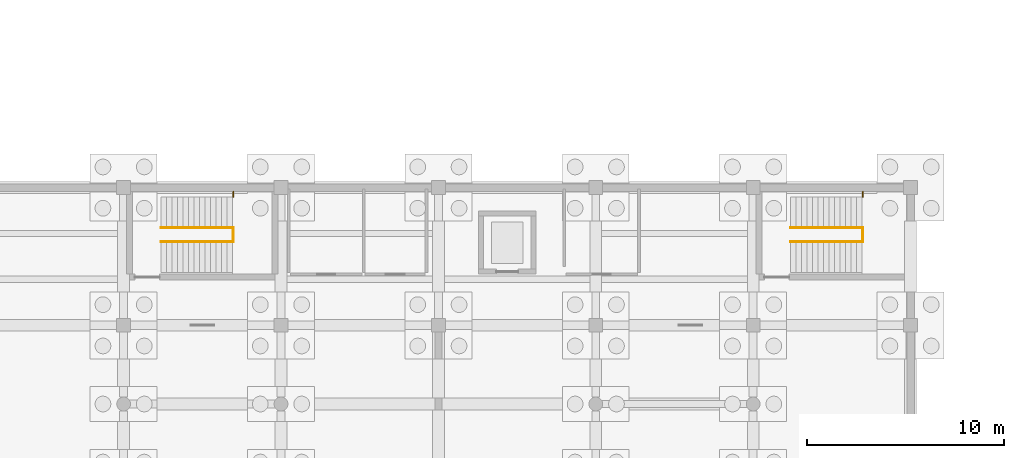
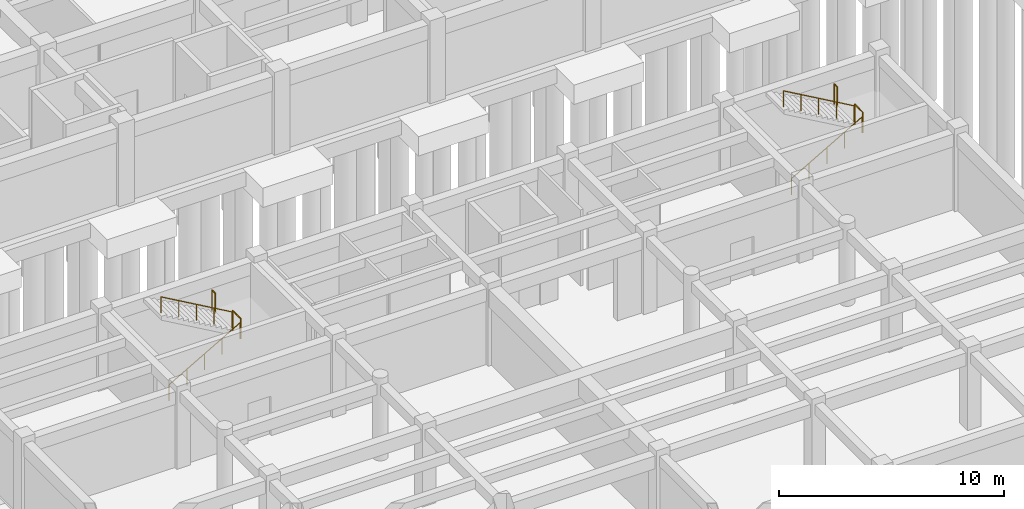
# One storey, part 25 of 28: 8 railings.
"""IFC4 building model written with IfcOpenShell, lengths in metres."""

from ifc_helpers import new_model, si_unit, direction, frame, origin, origin_2d, place, context, subcontext, project, spatial, circle, extrude, material, type_object, element, save


model = new_model("IFC4")

# Units and contexts
model_context = context("Model", 3, precision=1e-05, world=origin(), true_north=direction((0.0, 1.0)))
body_context = subcontext(model_context, "Body", "Model", "MODEL_VIEW")
ifc_project = project(units=[si_unit("LENGTHUNIT", "METRE"), si_unit("AREAUNIT", "SQUARE_METRE"), si_unit("VOLUMEUNIT", "CUBIC_METRE"), si_unit("PLANEANGLEUNIT", "RADIAN"), si_unit("MASSUNIT", "GRAM", prefix="KILO")], contexts=[model_context])

# Site, building, storey
site_placement = place(None, origin())
site = spatial("IfcSite", under=ifc_project, at=site_placement, CompositionType="ELEMENT")
building_placement = place(site_placement, origin())
building = spatial("IfcBuilding", under=site, at=building_placement, Name="Naurynzar Civic Courthouse", CompositionType="ELEMENT")
storey_placement = place(building_placement, frame((0.0, 0.0, -4.5)))
storey = spatial("IfcBuildingStorey", under=building, at=storey_placement, Name="B01", CompositionType="ELEMENT", Elevation=-4.5)

# Railings
ifc_material_1 = material(Name="Brushed Stainless Steel 304", Category="steel")
railing_type_1 = type_object("IfcRailingType", Name="RAIL-BAL-1100", PredefinedType="BALUSTRADE", material=ifc_material_1)
railing_1_placement = place(storey_placement, frame((82.580078125, 29.239990234375, 2.25)))
element("IfcRailing", 1, at=railing_1_placement, inside=storey, type_object=railing_type_1, Name="Stair ST-V3A-B01 half-landing well guard", PredefinedType="BALUSTRADE", context=body_context, shape_type="SweptSolid", body=[
    extrude(circle(Radius=0.02392578125, at=origin_2d()), frame((0.0, 0.0, 1.09619140625), z_axis=(0.0, 1.0, 0.0), x_axis=(-1.0, 0.0, 0.0)), (0.0, 0.0, 1.0), 0.719970703125),
    extrude(circle(Radius=0.02099609375, at=origin_2d()), origin(), (0.0, 0.0, 1.0), 1.072021484375),
    extrude(circle(Radius=0.02099609375, at=origin_2d()), frame((0.0, 0.719970703125, 0.0)), (0.0, 0.0, 1.0), 1.072021484375),
])
railing_2_placement = place(storey_placement, frame((82.580078125, 31.52001953125, 2.25)))
element("IfcRailing", 2, at=railing_2_placement, inside=storey, type_object=railing_type_1, Name="Stair ST-V3A-B01 half-landing north slot guard", PredefinedType="BALUSTRADE", context=body_context, shape_type="SweptSolid", body=[
    extrude(circle(Radius=0.02392578125, at=origin_2d()), frame((0.0, 0.0, 1.09619140625), z_axis=(0.0, 1.0, 0.0), x_axis=(-1.0, 0.0, 0.0)), (0.0, 0.0, 1.0), 0.27490234375),
    extrude(circle(Radius=0.02099609375, at=origin_2d()), origin(), (0.0, 0.0, 1.0), 1.072021484375),
    extrude(circle(Radius=0.02099609375, at=origin_2d()), frame((0.0, 0.27490234375, 0.0)), (0.0, 0.0, 1.0), 1.072021484375),
])
railing_3_placement = place(storey_placement, frame((114.580078125, 29.239990234375, 2.25)))
element("IfcRailing", 3, at=railing_3_placement, inside=storey, type_object=railing_type_1, Name="Stair ST-V3B-B01 half-landing well guard", PredefinedType="BALUSTRADE", context=body_context, shape_type="SweptSolid", body=[
    extrude(circle(Radius=0.02392578125, at=origin_2d()), frame((0.0, 0.0, 1.09619140625), z_axis=(0.0, 1.0, 0.0), x_axis=(-1.0, 0.0, 0.0)), (0.0, 0.0, 1.0), 0.719970703125),
    extrude(circle(Radius=0.02099609375, at=origin_2d()), origin(), (0.0, 0.0, 1.0), 1.072021484375),
    extrude(circle(Radius=0.02099609375, at=origin_2d()), frame((0.0, 0.719970703125, 0.0)), (0.0, 0.0, 1.0), 1.072021484375),
])
railing_4_placement = place(storey_placement, frame((114.580078125, 31.52001953125, 2.25)))
element("IfcRailing", 4, at=railing_4_placement, inside=storey, type_object=railing_type_1, Name="Stair ST-V3B-B01 half-landing north slot guard", PredefinedType="BALUSTRADE", context=body_context, shape_type="SweptSolid", body=[
    extrude(circle(Radius=0.02392578125, at=origin_2d()), frame((0.0, 0.0, 1.09619140625), z_axis=(0.0, 1.0, 0.0), x_axis=(-1.0, 0.0, 0.0)), (0.0, 0.0, 1.0), 0.27490234375),
    extrude(circle(Radius=0.02099609375, at=origin_2d()), origin(), (0.0, 0.0, 1.0), 1.072021484375),
    extrude(circle(Radius=0.02099609375, at=origin_2d()), frame((0.0, 0.27490234375, 0.0)), (0.0, 0.0, 1.0), 1.072021484375),
])
ifc_material_2 = material(Name="Brushed Stainless Steel 304", Category="steel")
railing_type_2 = type_object("IfcRailingType", Name="RAIL-HR-900", PredefinedType="HANDRAIL", material=ifc_material_2)
railing_5_placement = place(storey_placement, frame((78.89990234375, 29.239990234375, 0.16064453125)))
element("IfcRailing", 5, at=railing_5_placement, inside=storey, type_object=railing_type_2, Name="Stair ST-V3A-B01 flight 1 handrail", PredefinedType="HANDRAIL", context=body_context, shape_type="SweptSolid", body=[
    extrude(circle(Radius=0.02392578125, at=origin_2d()), frame((0.0, 0.0, 0.8759765625), z_axis=(0.867289372828, 0.0, 0.497804322781), x_axis=(0.0, 1.0, 0.0)), (0.0, 0.0, 1.0), 4.197021484375),
    extrude(circle(Radius=0.02099609375, at=origin_2d()), origin(), (0.0, 0.0, 1.0), 0.851806640625),
    extrude(circle(Radius=0.02099609375, at=origin_2d()), frame((0.91015625, 0.0, 0.5224609375)), (0.0, 0.0, 1.0), 0.851806640625),
    extrude(circle(Radius=0.02099609375, at=origin_2d()), frame((1.820068359375, 0.0, 1.044677734375)), (0.0, 0.0, 1.0), 0.851806640625),
    extrude(circle(Radius=0.02099609375, at=origin_2d()), frame((2.72998046875, 0.0, 1.56689453125)), (0.0, 0.0, 1.0), 0.851806640625),
    extrude(circle(Radius=0.02099609375, at=origin_2d()), frame((3.64013671875, 0.0, 2.08935546875)), (0.0, 0.0, 1.0), 0.851806640625),
])
railing_6_placement = place(storey_placement, frame((82.5400390625, 29.9599609375, 2.41064453125)))
element("IfcRailing", 6, at=railing_6_placement, inside=storey, type_object=railing_type_2, Name="Stair ST-V3A-B01 flight 2 handrail", PredefinedType="HANDRAIL", context=body_context, shape_type="SweptSolid", body=[
    extrude(circle(Radius=0.02392578125, at=origin_2d()), frame((0.0, 0.0, 0.8759765625), z_axis=(-0.867289372828, 0.0, 0.497804322781), x_axis=(0.0, -1.0, 0.0)), (0.0, 0.0, 1.0), 4.197021484375),
    extrude(circle(Radius=0.02099609375, at=origin_2d()), origin(), (0.0, 0.0, 1.0), 0.851806640625),
    extrude(circle(Radius=0.02099609375, at=origin_2d()), frame((-0.91015625, 0.0, 0.5224609375)), (0.0, 0.0, 1.0), 0.851806640625),
    extrude(circle(Radius=0.02099609375, at=origin_2d()), frame((-1.820068359375, 0.0, 1.044677734375)), (0.0, 0.0, 1.0), 0.851806640625),
    extrude(circle(Radius=0.02099609375, at=origin_2d()), frame((-2.72998046875, 0.0, 1.56689453125)), (0.0, 0.0, 1.0), 0.851806640625),
    extrude(circle(Radius=0.02099609375, at=origin_2d()), frame((-3.64013671875, 0.0, 2.08935546875)), (0.0, 0.0, 1.0), 0.851806640625),
])
railing_7_placement = place(storey_placement, frame((110.89990234375, 29.239990234375, 0.16064453125)))
element("IfcRailing", 7, at=railing_7_placement, inside=storey, type_object=railing_type_2, Name="Stair ST-V3B-B01 flight 1 handrail", PredefinedType="HANDRAIL", context=body_context, shape_type="SweptSolid", body=[
    extrude(circle(Radius=0.02392578125, at=origin_2d()), frame((0.0, 0.0, 0.8759765625), z_axis=(0.867289372828, 0.0, 0.497804322781), x_axis=(0.0, 1.0, 0.0)), (0.0, 0.0, 1.0), 4.197021484375),
    extrude(circle(Radius=0.02099609375, at=origin_2d()), origin(), (0.0, 0.0, 1.0), 0.851806640625),
    extrude(circle(Radius=0.02099609375, at=origin_2d()), frame((0.91015625, 0.0, 0.5224609375)), (0.0, 0.0, 1.0), 0.851806640625),
    extrude(circle(Radius=0.02099609375, at=origin_2d()), frame((1.820068359375, 0.0, 1.044677734375)), (0.0, 0.0, 1.0), 0.851806640625),
    extrude(circle(Radius=0.02099609375, at=origin_2d()), frame((2.72998046875, 0.0, 1.56689453125)), (0.0, 0.0, 1.0), 0.851806640625),
    extrude(circle(Radius=0.02099609375, at=origin_2d()), frame((3.64013671875, 0.0, 2.08935546875)), (0.0, 0.0, 1.0), 0.851806640625),
])
railing_8_placement = place(storey_placement, frame((114.5400390625, 29.9599609375, 2.41064453125)))
element("IfcRailing", 8, at=railing_8_placement, inside=storey, type_object=railing_type_2, Name="Stair ST-V3B-B01 flight 2 handrail", PredefinedType="HANDRAIL", context=body_context, shape_type="SweptSolid", body=[
    extrude(circle(Radius=0.02392578125, at=origin_2d()), frame((0.0, 0.0, 0.8759765625), z_axis=(-0.867289372828, 0.0, 0.497804322781), x_axis=(0.0, -1.0, 0.0)), (0.0, 0.0, 1.0), 4.197021484375),
    extrude(circle(Radius=0.02099609375, at=origin_2d()), origin(), (0.0, 0.0, 1.0), 0.851806640625),
    extrude(circle(Radius=0.02099609375, at=origin_2d()), frame((-0.91015625, 0.0, 0.5224609375)), (0.0, 0.0, 1.0), 0.851806640625),
    extrude(circle(Radius=0.02099609375, at=origin_2d()), frame((-1.820068359375, 0.0, 1.044677734375)), (0.0, 0.0, 1.0), 0.851806640625),
    extrude(circle(Radius=0.02099609375, at=origin_2d()), frame((-2.72998046875, 0.0, 1.56689453125)), (0.0, 0.0, 1.0), 0.851806640625),
    extrude(circle(Radius=0.02099609375, at=origin_2d()), frame((-3.64013671875, 0.0, 2.08935546875)), (0.0, 0.0, 1.0), 0.851806640625),
])

save(model, "model.ifc")
